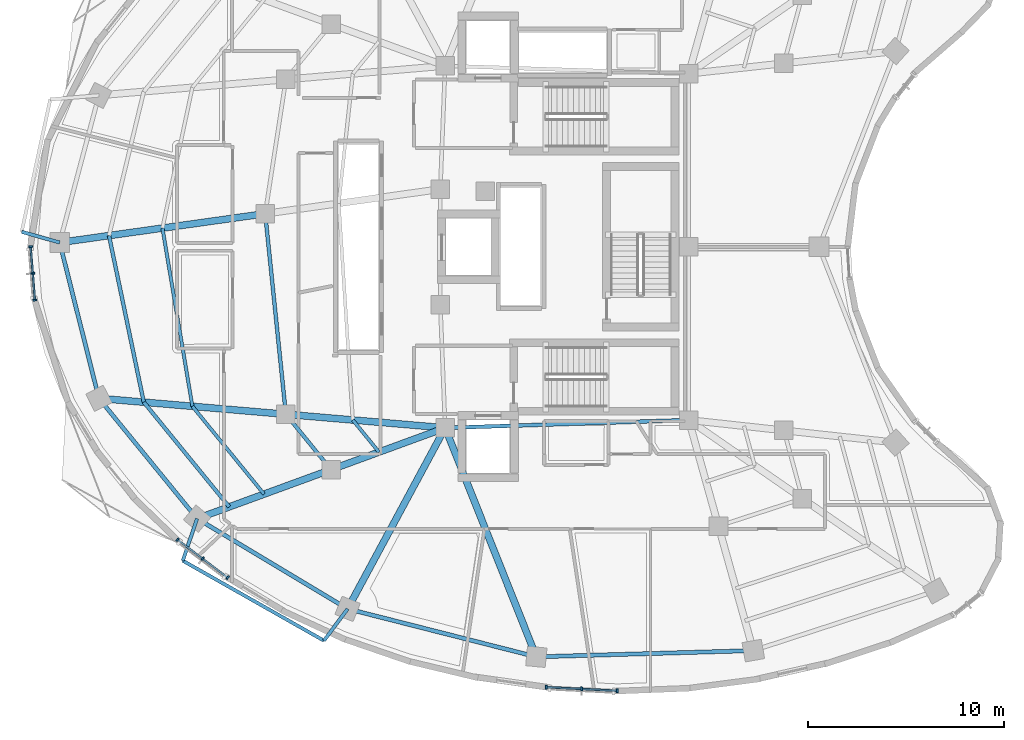
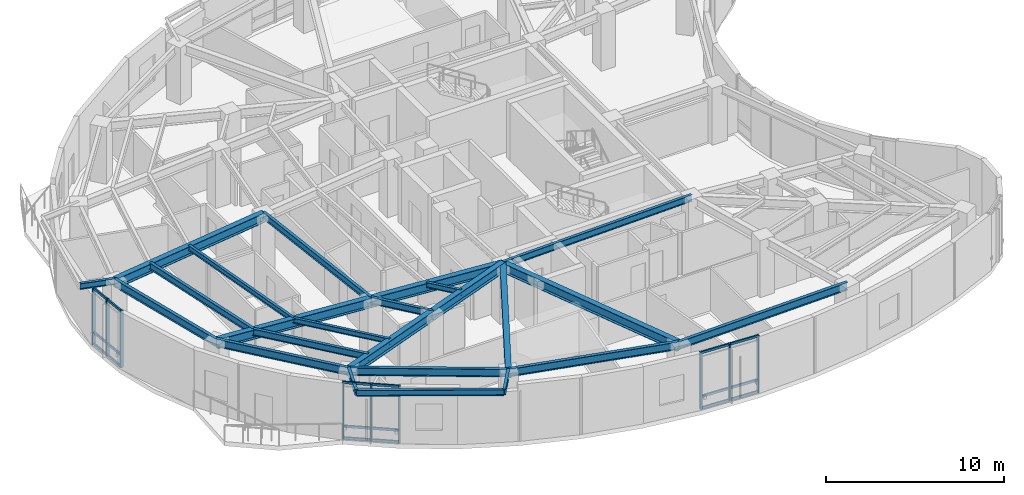
# One storey, part 2 of 15: 27 members, 24 beams, 3 elements without a shape of their own.
"""IFC4 building model written with IfcOpenShell, lengths in metres."""

from ifc_helpers import new_model, si_unit, direction, frame, origin, origin_2d, place, context, subcontext, project, spatial, rectangle, i_section, extrude, material, layer, layer_set, material_profile, profile_set, type_object, element, aggregate, save


model = new_model("IFC4")

# Units and contexts
model_context = context("Model", 3, precision=1e-05, world=origin(), true_north=direction((0.0, 1.0)))
body_context = subcontext(model_context, "Body", "Model", "MODEL_VIEW")
ifc_project = project(units=[si_unit("LENGTHUNIT", "METRE"), si_unit("AREAUNIT", "SQUARE_METRE"), si_unit("VOLUMEUNIT", "CUBIC_METRE"), si_unit("PLANEANGLEUNIT", "RADIAN"), si_unit("MASSUNIT", "GRAM", prefix="KILO")], contexts=[model_context])

# Site, building, storey
site_placement = place(None, origin())
site = spatial("IfcSite", under=ifc_project, at=site_placement, CompositionType="ELEMENT")
building_placement = place(site_placement, origin())
building = spatial("IfcBuilding", under=site, at=building_placement, Name="Korentha Bioscience Tower", CompositionType="ELEMENT")
storey_placement = place(building_placement, frame((0.0, 0.0, 235.199951171875)))
storey = spatial("IfcBuildingStorey", under=building, at=storey_placement, Name="L54", CompositionType="ELEMENT", Elevation=235.199951171875)

# Beams
ifc_material_1 = material(Name="Steel S355", Category="steel")
ifc_material_profile_1 = material_profile(ifc_material_1, i_section(OverallWidth=0.18994140625, OverallDepth=0.45703125, WebThickness=0.009033203125, FlangeThickness=0.014404296875, at=origin_2d()), Name="Steel S355")
ifc_profile_set_1 = profile_set([ifc_material_profile_1], Name="Steel S355 (MB-460)")
beam_type_1 = type_object("IfcBeamType", Name="Mid-Ring Tie Girder W460x74", PredefinedType="BEAM", material=ifc_profile_set_1)
beam_1_placement = place(storey_placement, frame((15.903076171875, 28.69482421875, 3.671630859375), z_axis=(0.102606546494, -0.994722019771, 0.0), x_axis=(0.994722019771, 0.102606546494, 0.0)))
element("IfcBeam", 1, at=beam_1_placement, inside=storey, type_object=beam_type_1, Name="L54 Mid-Ring Tie Girder 07", PredefinedType="BEAM", context=body_context, shape_type="SweptSolid", body=[
    extrude(i_section(OverallWidth=0.18994140625, OverallDepth=0.45703125, WebThickness=0.009033203125, FlangeThickness=0.014404296875, at=origin_2d()), origin(), (0.0, 0.0, 1.0), 10.30517578125),
])
beam_2_placement = place(storey_placement, frame((16.96044921875, 18.444091796875, 3.671630859375), z_axis=(0.632275728894, -0.774743443116, 0.0), x_axis=(0.774743443116, 0.632275728894, 0.0)))
element("IfcBeam", 2, at=beam_2_placement, inside=storey, type_object=beam_type_1, Name="L54 Mid-Ring Tie Girder 08", PredefinedType="BEAM", context=body_context, shape_type="SweptSolid", body=[
    extrude(i_section(OverallWidth=0.18994140625, OverallDepth=0.45703125, WebThickness=0.009033203125, FlangeThickness=0.014404296875, at=origin_2d()), origin(), (0.0, 0.0, 1.0), 3.650146484375),
])
beam_3_placement = place(storey_placement, frame((25.10009765625, 17.75, 3.671630859375), z_axis=(0.999484526071, 0.032104238723, 0.0), x_axis=(-0.032104238723, 0.999484526071, 0.0)))
element("IfcBeam", 3, at=beam_3_placement, inside=storey, type_object=beam_type_1, Name="L54 Core Ring Tie Girder 05", PredefinedType="BEAM", context=body_context, shape_type="SweptSolid", body=[
    extrude(i_section(OverallWidth=0.18994140625, OverallDepth=0.45703125, WebThickness=0.009033203125, FlangeThickness=0.014404296875, at=origin_2d()), origin(), (0.0, 0.0, 1.0), 12.456298828125),
])

# Curtain wall, members
ifc_material_2 = material(Name="Thermally Broken Aluminium Frame", Category="aluminium")
ifc_layer = layer(ifc_material_2, 0.219970703125, Name="Thermally Broken Aluminium Frame")
ifc_layer_set = layer_set([ifc_layer], Name="Thermally Broken Aluminium Frame (CW-T2)")
curtain_wall_type = type_object("IfcCurtainWallType", Name="Solar-Screened Lab Unitised Curtain Wall CW-T2", PredefinedType="USERDEFINED", material=ifc_layer_set)
curtain_wall_1_placement = place(storey_placement, origin())
curtain_wall_1 = element("IfcCurtainWall", 4, at=curtain_wall_1_placement, inside=storey, type_object=curtain_wall_type, Name="L54 Curtain Wall 19", ObjectType="UNITISED", PredefinedType="USERDEFINED")
ifc_material_3 = material(Name="Anodised Aluminium 6063-T6", Category="aluminium")
ifc_material_profile_2 = material_profile(ifc_material_3, rectangle(XDim=0.090087890625, YDim=0.199951171875, at=origin_2d()), Name="Anodised Aluminium 6063-T6")
ifc_profile_set_2 = profile_set([ifc_material_profile_2], Name="Anodised Aluminium 6063-T6 (CW-MUL)")
member_type_1 = type_object("IfcMemberType", Name="Mullion RECT 90x200", PredefinedType="MULLION", material=ifc_profile_set_2)
member_1_placement = place(storey_placement, frame((3.9169921875, 27.0078125, 0.0), z_axis=(0.0, 0.0, 1.0), x_axis=(0.07974803224, -0.996815053736, 0.0)))
member_1 = element("IfcMember", 5, at=member_1_placement, type_object=member_type_1, Name="CW-L54-19 Mullion 1", PredefinedType="MULLION", context=body_context, shape_type="SweptSolid", body=[
    extrude(rectangle(XDim=0.090087890625, YDim=0.199951171875, at=origin_2d()), origin(), (0.0, 0.0, 1.0), 3.900146484375),
])
member_2_placement = place(storey_placement, frame((4.026123046875, 25.642578125, 0.0), z_axis=(0.0, 0.0, 1.0), x_axis=(0.07974803224, -0.996815053736, 0.0)))
member_2 = element("IfcMember", 6, at=member_2_placement, type_object=member_type_1, Name="CW-L54-19 Mullion 2", PredefinedType="MULLION", context=body_context, shape_type="SweptSolid", body=[
    extrude(rectangle(XDim=0.090087890625, YDim=0.199951171875, at=origin_2d()), origin(), (0.0, 0.0, 1.0), 3.900146484375),
])
member_3_placement = place(storey_placement, frame((4.13525390625, 24.277587890625, 0.0), z_axis=(0.0, 0.0, 1.0), x_axis=(0.07974803224, -0.996815053736, 0.0)))
member_3 = element("IfcMember", 7, at=member_3_placement, type_object=member_type_1, Name="CW-L54-19 Mullion 3", PredefinedType="MULLION", context=body_context, shape_type="SweptSolid", body=[
    extrude(rectangle(XDim=0.090087890625, YDim=0.199951171875, at=origin_2d()), origin(), (0.0, 0.0, 1.0), 3.900146484375),
])

curtain_wall_2_placement = place(storey_placement, origin())
curtain_wall_2 = element("IfcCurtainWall", 8, at=curtain_wall_2_placement, inside=storey, type_object=curtain_wall_type, Name="L54 Curtain Wall 25", ObjectType="UNITISED", PredefinedType="USERDEFINED")
member_4_placement = place(storey_placement, frame((11.423095703125, 12.036865234375, 0.0), z_axis=(0.0, 0.0, 1.0), x_axis=(0.796889131105, -0.604125576951, 0.0)))
member_4 = element("IfcMember", 9, at=member_4_placement, type_object=member_type_1, Name="CW-L54-25 Mullion 1", PredefinedType="MULLION", context=body_context, shape_type="SweptSolid", body=[
    extrude(rectangle(XDim=0.090087890625, YDim=0.199951171875, at=origin_2d()), origin(), (0.0, 0.0, 1.0), 3.900146484375),
])
member_5_placement = place(storey_placement, frame((12.704345703125, 11.065673828125, 0.0), z_axis=(0.0, 0.0, 1.0), x_axis=(0.796889131105, -0.604125576951, 0.0)))
member_5 = element("IfcMember", 10, at=member_5_placement, type_object=member_type_1, Name="CW-L54-25 Mullion 2", PredefinedType="MULLION", context=body_context, shape_type="SweptSolid", body=[
    extrude(rectangle(XDim=0.090087890625, YDim=0.199951171875, at=origin_2d()), origin(), (0.0, 0.0, 1.0), 3.900146484375),
])
member_6_placement = place(storey_placement, frame((13.985595703125, 10.09423828125, 0.0), z_axis=(0.0, 0.0, 1.0), x_axis=(0.796889131105, -0.604125576951, 0.0)))
member_6 = element("IfcMember", 11, at=member_6_placement, type_object=member_type_1, Name="CW-L54-25 Mullion 3", PredefinedType="MULLION", context=body_context, shape_type="SweptSolid", body=[
    extrude(rectangle(XDim=0.090087890625, YDim=0.199951171875, at=origin_2d()), origin(), (0.0, 0.0, 1.0), 3.900146484375),
])

curtain_wall_3_placement = place(storey_placement, origin())
curtain_wall_3 = element("IfcCurtainWall", 12, at=curtain_wall_3_placement, inside=storey, type_object=curtain_wall_type, Name="L54 Curtain Wall 31", ObjectType="UNITISED", PredefinedType="USERDEFINED")
member_7_placement = place(storey_placement, frame((30.262939453125, 4.501708984375, 0.0), z_axis=(0.0, 0.0, 1.0), x_axis=(0.998695818107, -0.051055488397, 0.0)))
member_7 = element("IfcMember", 13, at=member_7_placement, type_object=member_type_1, Name="CW-L54-31 Mullion 1", PredefinedType="MULLION", context=body_context, shape_type="SweptSolid", body=[
    extrude(rectangle(XDim=0.090087890625, YDim=0.199951171875, at=origin_2d()), origin(), (0.0, 0.0, 1.0), 3.900146484375),
])
member_8_placement = place(storey_placement, frame((32.078125, 4.40869140625, 0.0), z_axis=(0.0, 0.0, 1.0), x_axis=(0.998695818107, -0.051055488397, 0.0)))
member_8 = element("IfcMember", 14, at=member_8_placement, type_object=member_type_1, Name="CW-L54-31 Mullion 2", PredefinedType="MULLION", context=body_context, shape_type="SweptSolid", body=[
    extrude(rectangle(XDim=0.090087890625, YDim=0.199951171875, at=origin_2d()), origin(), (0.0, 0.0, 1.0), 3.900146484375),
])
member_9_placement = place(storey_placement, frame((33.8935546875, 4.31591796875, 0.0), z_axis=(0.0, 0.0, 1.0), x_axis=(0.998695818107, -0.051055488397, 0.0)))
member_9 = element("IfcMember", 15, at=member_9_placement, type_object=member_type_1, Name="CW-L54-31 Mullion 3", PredefinedType="MULLION", context=body_context, shape_type="SweptSolid", body=[
    extrude(rectangle(XDim=0.090087890625, YDim=0.199951171875, at=origin_2d()), origin(), (0.0, 0.0, 1.0), 3.900146484375),
])

# Beams
ifc_material_profile_3 = material_profile(ifc_material_1, i_section(OverallWidth=0.208984375, OverallDepth=0.532958984375, WebThickness=0.01025390625, FlangeThickness=0.015625, at=origin_2d()), Name="Steel S355")
ifc_profile_set_3 = profile_set([ifc_material_profile_3], Name="Steel S355 (SB-530)")
beam_type_2 = type_object("IfcBeamType", Name="Perimeter Ring Spandrel Girder W530x92", PredefinedType="SPANDREL", material=ifc_profile_set_3)
beam_4_placement = place(storey_placement, frame((5.39990234375, 27.2216796875, 3.633544921875), z_axis=(0.244207174084, -0.969723082187, 0.0), x_axis=(0.969723082187, 0.244207174084, 0.0)))
element("IfcBeam", 16, at=beam_4_placement, inside=storey, type_object=beam_type_2, Name="L54 Perimeter Spandrel Girder 07", PredefinedType="SPANDREL", context=body_context, shape_type="SweptSolid", body=[
    extrude(i_section(OverallWidth=0.208984375, OverallDepth=0.532958984375, WebThickness=0.01025390625, FlangeThickness=0.015625, at=origin_2d()), origin(), (0.0, 0.0, 1.0), 8.211669921875),
])
beam_5_placement = place(storey_placement, frame((7.4052734375, 19.258544921875, 3.633544921875), z_axis=(0.632315820697, -0.774710722074, 0.0), x_axis=(0.774710722074, 0.632315820697, 0.0)))
element("IfcBeam", 17, at=beam_5_placement, inside=storey, type_object=beam_type_2, Name="L54 Perimeter Spandrel Girder 08", PredefinedType="SPANDREL", context=body_context, shape_type="SweptSolid", body=[
    extrude(i_section(OverallWidth=0.208984375, OverallDepth=0.532958984375, WebThickness=0.01025390625, FlangeThickness=0.015625, at=origin_2d()), origin(), (0.0, 0.0, 1.0), 7.934814453125),
])
beam_6_placement = place(storey_placement, frame((12.422607421875, 13.111328125, 3.633544921875), z_axis=(0.857644232791, -0.514243492872, 0.0), x_axis=(0.514243492872, 0.857644232791, 0.0)))
element("IfcBeam", 18, at=beam_6_placement, inside=storey, type_object=beam_type_2, Name="L54 Perimeter Spandrel Girder 09", PredefinedType="SPANDREL", context=body_context, shape_type="SweptSolid", body=[
    extrude(i_section(OverallWidth=0.208984375, OverallDepth=0.532958984375, WebThickness=0.01025390625, FlangeThickness=0.015625, at=origin_2d()), origin(), (0.0, 0.0, 1.0), 8.96728515625),
])
beam_7_placement = place(storey_placement, frame((20.11328125, 8.5, 3.633544921875), z_axis=(0.969197317616, -0.246285524395, 0.0), x_axis=(0.246285524395, 0.969197317616, 0.0)))
element("IfcBeam", 19, at=beam_7_placement, inside=storey, type_object=beam_type_2, Name="L54 Perimeter Spandrel Girder 10", PredefinedType="SPANDREL", context=body_context, shape_type="SweptSolid", body=[
    extrude(i_section(OverallWidth=0.208984375, OverallDepth=0.532958984375, WebThickness=0.01025390625, FlangeThickness=0.015625, at=origin_2d()), origin(), (0.0, 0.0, 1.0), 9.95263671875),
])
beam_8_placement = place(storey_placement, frame((29.75927734375, 6.048828125, 3.633544921875), z_axis=(0.999586140554, 0.028767127286, 0.0), x_axis=(-0.028767127286, 0.999586140554, 0.0)))
element("IfcBeam", 20, at=beam_8_placement, inside=storey, type_object=beam_type_2, Name="L54 Perimeter Spandrel Girder 11", PredefinedType="SPANDREL", context=body_context, shape_type="SweptSolid", body=[
    extrude(i_section(OverallWidth=0.208984375, OverallDepth=0.532958984375, WebThickness=0.01025390625, FlangeThickness=0.015625, at=origin_2d()), origin(), (0.0, 0.0, 1.0), 11.09228515625),
])
ifc_material_profile_4 = material_profile(ifc_material_1, i_section(OverallWidth=0.18994140625, OverallDepth=0.45703125, WebThickness=0.009033203125, FlangeThickness=0.014404296875, at=origin_2d()), Name="Steel S355")
ifc_profile_set_4 = profile_set([ifc_material_profile_4], Name="Steel S355 (RB-460)")
beam_type_3 = type_object("IfcBeamType", Name="Radial Laboratory Beam W460x74", PredefinedType="BEAM", material=ifc_profile_set_4)
beam_9_placement = place(storey_placement, frame((7.920654296875, 27.5751953125, 3.671630859375), z_axis=(0.204445291573, -0.978877991761, 0.0), x_axis=(0.978877991761, 0.204445291573, 0.0)))
element("IfcBeam", 21, at=beam_9_placement, inside=storey, type_object=beam_type_3, Name="L54 Secondary Floor Beam JSTO-07", PredefinedType="BEAM", context=body_context, shape_type="SweptSolid", body=[
    extrude(i_section(OverallWidth=0.18994140625, OverallDepth=0.45703125, WebThickness=0.009033203125, FlangeThickness=0.014404296875, at=origin_2d()), origin(), (0.0, 0.0, 1.0), 8.69580078125),
])
beam_10_placement = place(storey_placement, frame((9.698486328125, 19.06298828125, 3.671630859375), z_axis=(0.632321075077, -0.77470643344, 0.0), x_axis=(0.77470643344, 0.632321075077, 0.0)))
element("IfcBeam", 22, at=beam_10_placement, inside=storey, type_object=beam_type_3, Name="L54 Secondary Floor Beam JSTO-08", PredefinedType="BEAM", context=body_context, shape_type="SweptSolid", body=[
    extrude(i_section(OverallWidth=0.18994140625, OverallDepth=0.45703125, WebThickness=0.009033203125, FlangeThickness=0.014404296875, at=origin_2d()), origin(), (0.0, 0.0, 1.0), 6.906494140625),
])
ifc_material_profile_5 = material_profile(ifc_material_1, i_section(OverallWidth=0.35009765625, OverallDepth=0.64990234375, WebThickness=0.01611328125, FlangeThickness=0.02490234375, at=origin_2d()), Name="Steel S355")
ifc_profile_set_5 = profile_set([ifc_material_profile_5], Name="Steel S355 (RB-650)")
beam_type_4 = type_object("IfcBeamType", Name="Radial Laboratory Girder CVS 650x208", PredefinedType="BEAM", material=ifc_profile_set_5)
beam_11_placement = place(storey_placement, frame((15.903076171875, 28.69482421875, 3.574951171875), z_axis=(-0.990306757518, -0.138897537827, 0.0), x_axis=(0.138897537827, -0.990306757518, 0.0)))
element("IfcBeam", 23, at=beam_11_placement, inside=storey, type_object=beam_type_4, Name="L54 Outer Radial Girder 07", PredefinedType="BEAM", context=body_context, shape_type="SweptSolid", body=[
    extrude(i_section(OverallWidth=0.35009765625, OverallDepth=0.64990234375, WebThickness=0.01611328125, FlangeThickness=0.02490234375, at=origin_2d()), origin(), (0.0, 0.0, 1.0), 10.60595703125),
])
beam_12_placement = place(storey_placement, frame((25.10009765625, 17.75, 3.574951171875), z_axis=(-0.996383970884, 0.084964595957, 0.0), x_axis=(-0.084964595957, -0.996383970884, 0.0)))
element("IfcBeam", 24, at=beam_12_placement, inside=storey, type_object=beam_type_4, Name="L54 Inner Radial Girder 08", PredefinedType="BEAM", context=body_context, shape_type="SweptSolid", body=[
    extrude(i_section(OverallWidth=0.35009765625, OverallDepth=0.64990234375, WebThickness=0.01611328125, FlangeThickness=0.02490234375, at=origin_2d()), origin(), (0.0, 0.0, 1.0), 8.169189453125),
])
beam_13_placement = place(storey_placement, frame((16.96044921875, 18.444091796875, 3.574951171875), z_axis=(-0.996387014591, 0.084928894698, 0.0), x_axis=(-0.084928894698, -0.996387014591, 0.0)))
element("IfcBeam", 25, at=beam_13_placement, inside=storey, type_object=beam_type_4, Name="L54 Outer Radial Girder 08", PredefinedType="BEAM", context=body_context, shape_type="SweptSolid", body=[
    extrude(i_section(OverallWidth=0.35009765625, OverallDepth=0.64990234375, WebThickness=0.01611328125, FlangeThickness=0.02490234375, at=origin_2d()), origin(), (0.0, 0.0, 1.0), 9.58984375),
])
beam_14_placement = place(storey_placement, frame((25.10009765625, 17.75, 3.574951171875), z_axis=(-0.939112022558, -0.343611130622, 0.0), x_axis=(0.343611130622, -0.939112022558, 0.0)))
element("IfcBeam", 26, at=beam_14_placement, inside=storey, type_object=beam_type_4, Name="L54 Inner Radial Girder 09", PredefinedType="BEAM", context=body_context, shape_type="SweptSolid", body=[
    extrude(i_section(OverallWidth=0.35009765625, OverallDepth=0.64990234375, WebThickness=0.01611328125, FlangeThickness=0.02490234375, at=origin_2d()), origin(), (0.0, 0.0, 1.0), 6.2099609375),
])
beam_15_placement = place(storey_placement, frame((19.268310546875, 15.6162109375, 3.574951171875), z_axis=(-0.939107036581, -0.343624757322, 0.0), x_axis=(0.343624757322, -0.939107036581, 0.0)))
element("IfcBeam", 27, at=beam_15_placement, inside=storey, type_object=beam_type_4, Name="L54 Outer Radial Girder 09", PredefinedType="BEAM", context=body_context, shape_type="SweptSolid", body=[
    extrude(i_section(OverallWidth=0.35009765625, OverallDepth=0.64990234375, WebThickness=0.01611328125, FlangeThickness=0.02490234375, at=origin_2d()), origin(), (0.0, 0.0, 1.0), 7.28955078125),
])
beam_16_placement = place(storey_placement, frame((25.10009765625, 17.75, 3.574951171875), z_axis=(-0.474545867703, -0.880230776243, 0.0), x_axis=(0.880230776243, -0.474545867703, 0.0)))
element("IfcBeam", 28, at=beam_16_placement, inside=storey, type_object=beam_type_4, Name="L54 Radial Girder 10", PredefinedType="BEAM", context=body_context, shape_type="SweptSolid", body=[
    extrude(i_section(OverallWidth=0.35009765625, OverallDepth=0.64990234375, WebThickness=0.01611328125, FlangeThickness=0.02490234375, at=origin_2d()), origin(), (0.0, 0.0, 1.0), 10.508544921875),
])
beam_17_placement = place(storey_placement, frame((25.10009765625, 17.75, 3.574951171875), z_axis=(0.369933042289, -0.929058418089, 0.0), x_axis=(0.929058418089, 0.369933042289, 0.0)))
element("IfcBeam", 29, at=beam_17_placement, inside=storey, type_object=beam_type_4, Name="L54 Radial Girder 11", PredefinedType="BEAM", context=body_context, shape_type="SweptSolid", body=[
    extrude(i_section(OverallWidth=0.35009765625, OverallDepth=0.64990234375, WebThickness=0.01611328125, FlangeThickness=0.02490234375, at=origin_2d()), origin(), (0.0, 0.0, 1.0), 12.5947265625),
])
ifc_material_profile_6 = material_profile(ifc_material_1, i_section(OverallWidth=0.1708984375, OverallDepth=0.35498046875, WebThickness=0.007080078125, FlangeThickness=0.01171875, at=origin_2d()), Name="Steel S355")
ifc_profile_set_6 = profile_set([ifc_material_profile_6], Name="Steel S355 (JB-360)")
beam_type_5 = type_object("IfcBeamType", Name="Secondary Laboratory Joist W360x51", PredefinedType="JOIST", material=ifc_profile_set_6)
beam_18_placement = place(storey_placement, frame((10.651611328125, 27.958251953125, 3.72265625), z_axis=(0.165813560916, -0.986157118829, 0.0), x_axis=(0.986157118829, 0.165813560916, 0.0)))
element("IfcBeam", 30, at=beam_18_placement, inside=storey, type_object=beam_type_5, Name="L54 Secondary Floor Beam JST-07", PredefinedType="JOIST", context=body_context, shape_type="SweptSolid", body=[
    extrude(i_section(OverallWidth=0.1708984375, OverallDepth=0.35498046875, WebThickness=0.007080078125, FlangeThickness=0.01171875, at=origin_2d()), origin(), (0.0, 0.0, 1.0), 9.23486328125),
])
beam_19_placement = place(storey_placement, frame((12.182861328125, 18.851318359375, 3.72265625), z_axis=(0.632303189088, -0.774721031771, 0.0), x_axis=(0.774721031771, 0.632303189088, 0.0)))
element("IfcBeam", 31, at=beam_19_placement, inside=storey, type_object=beam_type_5, Name="L54 Secondary Floor Beam JST-08", PredefinedType="JOIST", context=body_context, shape_type="SweptSolid", body=[
    extrude(i_section(OverallWidth=0.1708984375, OverallDepth=0.35498046875, WebThickness=0.007080078125, FlangeThickness=0.01171875, at=origin_2d()), origin(), (0.0, 0.0, 1.0), 5.79248046875),
])
beam_20_placement = place(storey_placement, frame((20.37890625, 18.152587890625, 3.72265625), z_axis=(0.632370841021, -0.774665811448, 0.0), x_axis=(0.774665811448, 0.632370841021, 0.0)))
element("IfcBeam", 32, at=beam_20_placement, inside=storey, type_object=beam_type_5, Name="L54 Inner Bay Joist 08", PredefinedType="JOIST", context=body_context, shape_type="SweptSolid", body=[
    extrude(i_section(OverallWidth=0.1708984375, OverallDepth=0.35498046875, WebThickness=0.007080078125, FlangeThickness=0.01171875, at=origin_2d()), origin(), (0.0, 0.0, 1.0), 2.1171875),
])
ifc_material_profile_7 = material_profile(ifc_material_1, i_section(OverallWidth=0.177978515625, OverallDepth=0.406982421875, WebThickness=0.0078125, FlangeThickness=0.0126953125, at=origin_2d()), Name="Steel S355")
ifc_profile_set_7 = profile_set([ifc_material_profile_7], Name="Steel S355 (CB-410)")
beam_type_6 = type_object("IfcBeamType", Name="Sun-Ledge Cantilever Beam W410x60", PredefinedType="BEAM", material=ifc_profile_set_7)
beam_21_placement = place(storey_placement, frame((5.39990234375, 27.2216796875, 3.698486328125), z_axis=(-0.962251522828, 0.272161729154, 0.0), x_axis=(-0.272161729154, -0.962251522828, 0.0)))
element("IfcBeam", 33, at=beam_21_placement, inside=storey, type_object=beam_type_6, Name="L54 Balcony Cantilever Bracket B-L55-02", PredefinedType="BEAM", context=body_context, shape_type="SweptSolid", body=[
    extrude(i_section(OverallWidth=0.177978515625, OverallDepth=0.406982421875, WebThickness=0.0078125, FlangeThickness=0.0126953125, at=origin_2d()), origin(), (0.0, 0.0, 1.0), 2.0166015625),
])
beam_22_placement = place(storey_placement, frame((12.422607421875, 13.111328125, 3.698486328125), z_axis=(-0.322739639848, -0.946487783794, 0.0), x_axis=(0.946487783794, -0.322739639848, 0.0)))
element("IfcBeam", 34, at=beam_22_placement, inside=storey, type_object=beam_type_6, Name="L54 Balcony Cantilever Bracket A-L55-03", PredefinedType="BEAM", context=body_context, shape_type="SweptSolid", body=[
    extrude(i_section(OverallWidth=0.177978515625, OverallDepth=0.406982421875, WebThickness=0.0078125, FlangeThickness=0.0126953125, at=origin_2d()), origin(), (0.0, 0.0, 1.0), 2.269287109375),
])
beam_23_placement = place(storey_placement, frame((20.11328125, 8.5, 3.698486328125), z_axis=(-0.596850111075, -0.802352755906, 0.0), x_axis=(0.802352755906, -0.596850111075, 0.0)))
element("IfcBeam", 35, at=beam_23_placement, inside=storey, type_object=beam_type_6, Name="L54 Balcony Cantilever Bracket B-L55-03", PredefinedType="BEAM", context=body_context, shape_type="SweptSolid", body=[
    extrude(i_section(OverallWidth=0.177978515625, OverallDepth=0.406982421875, WebThickness=0.0078125, FlangeThickness=0.0126953125, at=origin_2d()), origin(), (0.0, 0.0, 1.0), 2.0244140625),
])
beam_24_placement = place(storey_placement, frame((11.690185546875, 10.96337890625, 3.698486328125), z_axis=(0.870061752324, -0.492942742256, 0.0), x_axis=(0.492942742256, 0.870061752324, 0.0)))
element("IfcBeam", 36, at=beam_24_placement, inside=storey, type_object=beam_type_6, Name="L54 Balcony Edge Trimmer Beam L55-03", PredefinedType="BEAM", context=body_context, shape_type="SweptSolid", body=[
    extrude(i_section(OverallWidth=0.177978515625, OverallDepth=0.406982421875, WebThickness=0.0078125, FlangeThickness=0.0126953125, at=origin_2d()), origin(), (0.0, 0.0, 1.0), 8.292236328125),
])

# Member
ifc_material_profile_8 = material_profile(ifc_material_3, rectangle(XDim=0.090087890625, YDim=0.159912109375, at=origin_2d()), Name="Anodised Aluminium 6063-T6")
ifc_profile_set_8 = profile_set([ifc_material_profile_8], Name="Anodised Aluminium 6063-T6 (CW-TRN)")
member_type_2 = type_object("IfcMemberType", Name="Transom RECT 90x160", PredefinedType="USERDEFINED", material=ifc_profile_set_8)
member_10_placement = place(storey_placement, frame((3.92041015625, 26.962890625, 0.045166015625), z_axis=(0.079760390344, -0.996814064975, 0.0), x_axis=(0.996814064975, 0.079760390344, 0.0)))
member_10 = element("IfcMember", 37, at=member_10_placement, type_object=member_type_2, Name="CW-L54-19 Bay 1 Transom 1", ObjectType="TRANSOM", PredefinedType="USERDEFINED", context=body_context, shape_type="SweptSolid", body=[
    extrude(rectangle(XDim=0.090087890625, YDim=0.159912109375, at=origin_2d()), origin(), (0.0, 0.0, 1.0), 1.279541015625),
])

member_11_placement = place(storey_placement, frame((3.92041015625, 26.962890625, 0.85009765625), z_axis=(0.079760390344, -0.996814064975, 0.0), x_axis=(0.996814064975, 0.079760390344, 0.0)))
member_11 = element("IfcMember", 38, at=member_11_placement, type_object=member_type_2, Name="CW-L54-19 Bay 1 Transom 2", ObjectType="TRANSOM", PredefinedType="USERDEFINED", context=body_context, shape_type="SweptSolid", body=[
    extrude(rectangle(XDim=0.090087890625, YDim=0.159912109375, at=origin_2d()), origin(), (0.0, 0.0, 1.0), 1.279541015625),
])

member_12_placement = place(storey_placement, frame((3.92041015625, 26.962890625, 3.85498046875), z_axis=(0.079760390344, -0.996814064975, 0.0), x_axis=(0.996814064975, 0.079760390344, 0.0)))
member_12 = element("IfcMember", 39, at=member_12_placement, type_object=member_type_2, Name="CW-L54-19 Bay 1 Transom 3", ObjectType="TRANSOM", PredefinedType="USERDEFINED", context=body_context, shape_type="SweptSolid", body=[
    extrude(rectangle(XDim=0.090087890625, YDim=0.159912109375, at=origin_2d()), origin(), (0.0, 0.0, 1.0), 1.279541015625),
])

member_13_placement = place(storey_placement, frame((4.02978515625, 25.597900390625, 0.045166015625), z_axis=(0.079570785596, -0.996829218111, 0.0), x_axis=(0.996829218111, 0.079570785596, 0.0)))
member_13 = element("IfcMember", 40, at=member_13_placement, type_object=member_type_2, Name="CW-L54-19 Bay 2 Transom 1", ObjectType="TRANSOM", PredefinedType="USERDEFINED", context=body_context, shape_type="SweptSolid", body=[
    extrude(rectangle(XDim=0.090087890625, YDim=0.159912109375, at=origin_2d()), origin(), (0.0, 0.0, 1.0), 1.279541015625),
])

member_14_placement = place(storey_placement, frame((4.02978515625, 25.597900390625, 0.85009765625), z_axis=(0.079570785596, -0.996829218111, 0.0), x_axis=(0.996829218111, 0.079570785596, 0.0)))
member_14 = element("IfcMember", 41, at=member_14_placement, type_object=member_type_2, Name="CW-L54-19 Bay 2 Transom 2", ObjectType="TRANSOM", PredefinedType="USERDEFINED", context=body_context, shape_type="SweptSolid", body=[
    extrude(rectangle(XDim=0.090087890625, YDim=0.159912109375, at=origin_2d()), origin(), (0.0, 0.0, 1.0), 1.279541015625),
])

member_15_placement = place(storey_placement, frame((4.02978515625, 25.597900390625, 3.85498046875), z_axis=(0.079570785596, -0.996829218111, 0.0), x_axis=(0.996829218111, 0.079570785596, 0.0)))
member_15 = element("IfcMember", 42, at=member_15_placement, type_object=member_type_2, Name="CW-L54-19 Bay 2 Transom 3", ObjectType="TRANSOM", PredefinedType="USERDEFINED", context=body_context, shape_type="SweptSolid", body=[
    extrude(rectangle(XDim=0.090087890625, YDim=0.159912109375, at=origin_2d()), origin(), (0.0, 0.0, 1.0), 1.279541015625),
])

aggregate(curtain_wall_1, [member_1, member_2, member_3, member_10, member_11, member_12, member_13, member_14, member_15])

member_16_placement = place(storey_placement, frame((11.458984375, 12.009765625, 0.045166015625), z_axis=(0.796862167345, -0.604161142622, 0.0), x_axis=(0.604161142622, 0.796862167345, 0.0)))
member_16 = element("IfcMember", 43, at=member_16_placement, type_object=member_type_2, Name="CW-L54-25 Bay 1 Transom 1", ObjectType="TRANSOM", PredefinedType="USERDEFINED", context=body_context, shape_type="SweptSolid", body=[
    extrude(rectangle(XDim=0.090087890625, YDim=0.159912109375, at=origin_2d()), origin(), (0.0, 0.0, 1.0), 1.517822265625),
])

member_17_placement = place(storey_placement, frame((11.458984375, 12.009765625, 0.85009765625), z_axis=(0.796862167345, -0.604161142622, 0.0), x_axis=(0.604161142622, 0.796862167345, 0.0)))
member_17 = element("IfcMember", 44, at=member_17_placement, type_object=member_type_2, Name="CW-L54-25 Bay 1 Transom 2", ObjectType="TRANSOM", PredefinedType="USERDEFINED", context=body_context, shape_type="SweptSolid", body=[
    extrude(rectangle(XDim=0.090087890625, YDim=0.159912109375, at=origin_2d()), origin(), (0.0, 0.0, 1.0), 1.517822265625),
])

member_18_placement = place(storey_placement, frame((11.458984375, 12.009765625, 3.85498046875), z_axis=(0.796862167345, -0.604161142622, 0.0), x_axis=(0.604161142622, 0.796862167345, 0.0)))
member_18 = element("IfcMember", 45, at=member_18_placement, type_object=member_type_2, Name="CW-L54-25 Bay 1 Transom 3", ObjectType="TRANSOM", PredefinedType="USERDEFINED", context=body_context, shape_type="SweptSolid", body=[
    extrude(rectangle(XDim=0.090087890625, YDim=0.159912109375, at=origin_2d()), origin(), (0.0, 0.0, 1.0), 1.517822265625),
])

member_19_placement = place(storey_placement, frame((12.740234375, 11.038330078125, 0.045166015625), z_axis=(0.796939607942, -0.604058988256, 0.0), x_axis=(0.604058988256, 0.796939607942, 0.0)))
member_19 = element("IfcMember", 46, at=member_19_placement, type_object=member_type_2, Name="CW-L54-25 Bay 2 Transom 1", ObjectType="TRANSOM", PredefinedType="USERDEFINED", context=body_context, shape_type="SweptSolid", body=[
    extrude(rectangle(XDim=0.090087890625, YDim=0.159912109375, at=origin_2d()), origin(), (0.0, 0.0, 1.0), 1.517578125),
])

member_20_placement = place(storey_placement, frame((12.740234375, 11.038330078125, 0.85009765625), z_axis=(0.796939607942, -0.604058988256, 0.0), x_axis=(0.604058988256, 0.796939607942, 0.0)))
member_20 = element("IfcMember", 47, at=member_20_placement, type_object=member_type_2, Name="CW-L54-25 Bay 2 Transom 2", ObjectType="TRANSOM", PredefinedType="USERDEFINED", context=body_context, shape_type="SweptSolid", body=[
    extrude(rectangle(XDim=0.090087890625, YDim=0.159912109375, at=origin_2d()), origin(), (0.0, 0.0, 1.0), 1.517578125),
])

member_21_placement = place(storey_placement, frame((12.740234375, 11.038330078125, 3.85498046875), z_axis=(0.796939607942, -0.604058988256, 0.0), x_axis=(0.604058988256, 0.796939607942, 0.0)))
member_21 = element("IfcMember", 48, at=member_21_placement, type_object=member_type_2, Name="CW-L54-25 Bay 2 Transom 3", ObjectType="TRANSOM", PredefinedType="USERDEFINED", context=body_context, shape_type="SweptSolid", body=[
    extrude(rectangle(XDim=0.090087890625, YDim=0.159912109375, at=origin_2d()), origin(), (0.0, 0.0, 1.0), 1.517578125),
])

aggregate(curtain_wall_2, [member_4, member_5, member_6, member_16, member_17, member_18, member_19, member_20, member_21])

member_22_placement = place(storey_placement, frame((30.307861328125, 4.499267578125, 0.045166015625), z_axis=(0.998697837161, -0.051015978381, 0.0), x_axis=(0.051015978381, 0.998697837161, 0.0)))
member_22 = element("IfcMember", 49, at=member_22_placement, type_object=member_type_2, Name="CW-L54-31 Bay 1 Transom 1", ObjectType="TRANSOM", PredefinedType="USERDEFINED", context=body_context, shape_type="SweptSolid", body=[
    extrude(rectangle(XDim=0.090087890625, YDim=0.159912109375, at=origin_2d()), origin(), (0.0, 0.0, 1.0), 1.7275390625),
])

member_23_placement = place(storey_placement, frame((30.307861328125, 4.499267578125, 0.85009765625), z_axis=(0.998697837161, -0.051015978381, 0.0), x_axis=(0.051015978381, 0.998697837161, 0.0)))
member_23 = element("IfcMember", 50, at=member_23_placement, type_object=member_type_2, Name="CW-L54-31 Bay 1 Transom 2", ObjectType="TRANSOM", PredefinedType="USERDEFINED", context=body_context, shape_type="SweptSolid", body=[
    extrude(rectangle(XDim=0.090087890625, YDim=0.159912109375, at=origin_2d()), origin(), (0.0, 0.0, 1.0), 1.7275390625),
])

member_24_placement = place(storey_placement, frame((30.307861328125, 4.499267578125, 3.85498046875), z_axis=(0.998697837161, -0.051015978381, 0.0), x_axis=(0.051015978381, 0.998697837161, 0.0)))
member_24 = element("IfcMember", 51, at=member_24_placement, type_object=member_type_2, Name="CW-L54-31 Bay 1 Transom 3", ObjectType="TRANSOM", PredefinedType="USERDEFINED", context=body_context, shape_type="SweptSolid", body=[
    extrude(rectangle(XDim=0.090087890625, YDim=0.159912109375, at=origin_2d()), origin(), (0.0, 0.0, 1.0), 1.7275390625),
])

member_25_placement = place(storey_placement, frame((32.123291015625, 4.406494140625, 0.045166015625), z_axis=(0.998697837161, -0.051015978381, 0.0), x_axis=(0.051015978381, 0.998697837161, 0.0)))
member_25 = element("IfcMember", 52, at=member_25_placement, type_object=member_type_2, Name="CW-L54-31 Bay 2 Transom 1", ObjectType="TRANSOM", PredefinedType="USERDEFINED", context=body_context, shape_type="SweptSolid", body=[
    extrude(rectangle(XDim=0.090087890625, YDim=0.159912109375, at=origin_2d()), origin(), (0.0, 0.0, 1.0), 1.7275390625),
])

member_26_placement = place(storey_placement, frame((32.123291015625, 4.406494140625, 0.85009765625), z_axis=(0.998697837161, -0.051015978381, 0.0), x_axis=(0.051015978381, 0.998697837161, 0.0)))
member_26 = element("IfcMember", 53, at=member_26_placement, type_object=member_type_2, Name="CW-L54-31 Bay 2 Transom 2", ObjectType="TRANSOM", PredefinedType="USERDEFINED", context=body_context, shape_type="SweptSolid", body=[
    extrude(rectangle(XDim=0.090087890625, YDim=0.159912109375, at=origin_2d()), origin(), (0.0, 0.0, 1.0), 1.7275390625),
])

member_27_placement = place(storey_placement, frame((32.123291015625, 4.406494140625, 3.85498046875), z_axis=(0.998697837161, -0.051015978381, 0.0), x_axis=(0.051015978381, 0.998697837161, 0.0)))
member_27 = element("IfcMember", 54, at=member_27_placement, type_object=member_type_2, Name="CW-L54-31 Bay 2 Transom 3", ObjectType="TRANSOM", PredefinedType="USERDEFINED", context=body_context, shape_type="SweptSolid", body=[
    extrude(rectangle(XDim=0.090087890625, YDim=0.159912109375, at=origin_2d()), origin(), (0.0, 0.0, 1.0), 1.7275390625),
])

aggregate(curtain_wall_3, [member_7, member_8, member_9, member_22, member_23, member_24, member_25, member_26, member_27])

save(model, "model.ifc")
